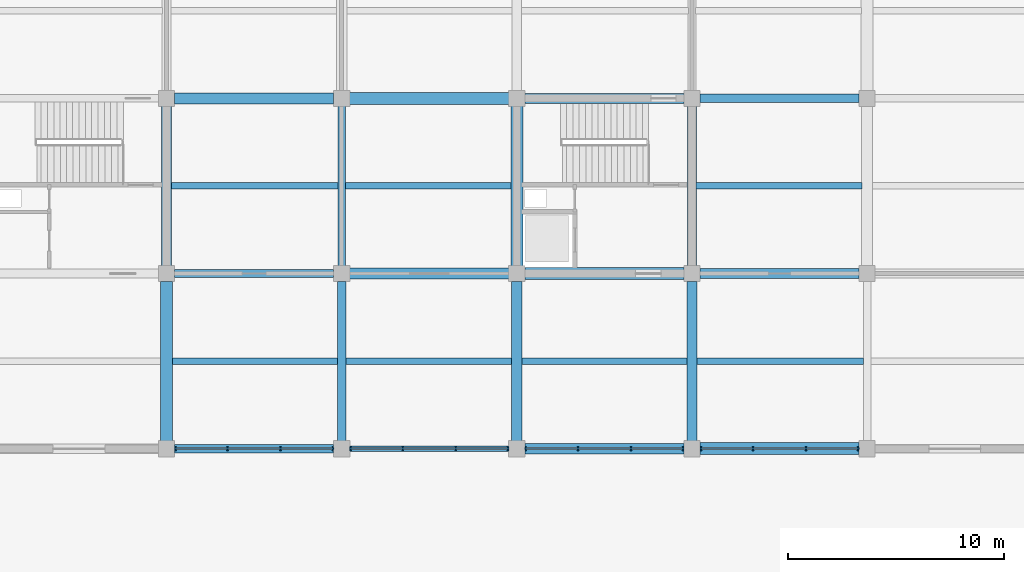
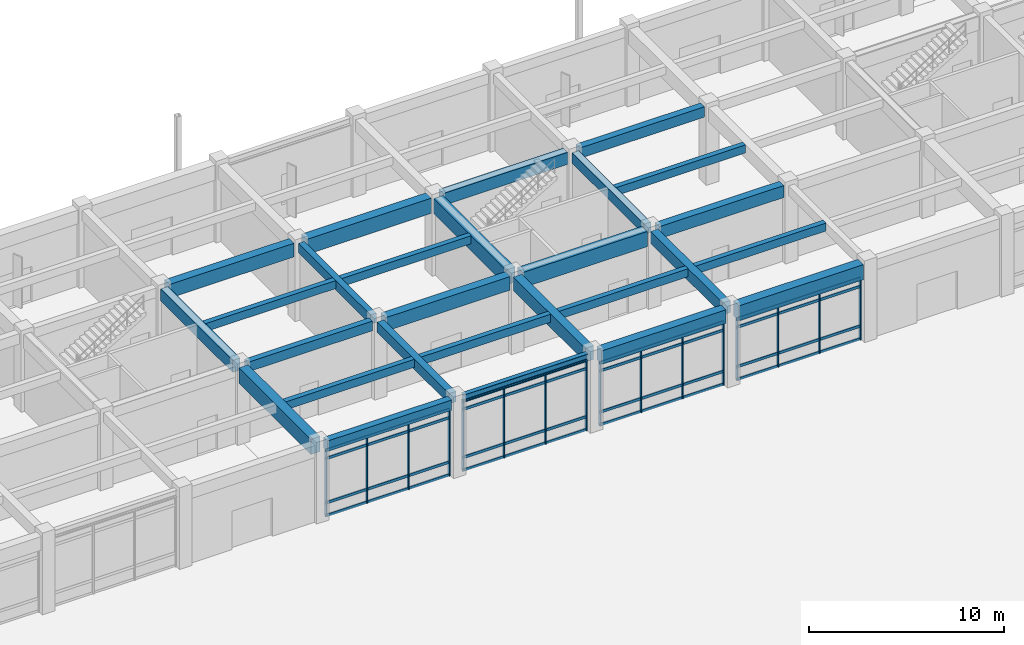
# One storey, part 35 of 99: 32 members, 27 beams, 4 elements without a shape of their own.
"""IFC4 building model written with IfcOpenShell, lengths in metres."""

import ifcopenshell
import ifcopenshell.guid

model = None  # the IFC model being written
_history = None  # IfcOwnerHistory: only IFC2X3 demands one
_inside = {}  # id of a spatial element -> (the spatial element, [elements in it])
_under = {}  # id of a project, library or spatial element -> (it, [spatial elements below it])
_declared = {}  # id of a project -> (the project, [libraries it declares])
_typed = {}  # id of a type object -> (the type object, [elements of that type])
_made_of = {}  # id of a material, layer set ... -> (it, [elements and type objects made of it])


def new_model(schema):
    """Start an empty IFC model of exactly this schema.

    Asked for "IFC4X3", IfcOpenShell would pick the latest addendum, in which some entities
    have other attributes; the version numbers below select the first issue.
    IFC2X3 requires an IfcOwnerHistory on every rooted entity: one is made here for all.
    """
    global model, _history
    if schema == "IFC4X3":
        model = ifcopenshell.file(schema_version=(4, 3, 0, 0))
    else:
        model = ifcopenshell.file(schema=schema)
    _inside.clear()
    _under.clear()
    _declared.clear()
    _typed.clear()
    _made_of.clear()
    _history = None
    if model.schema == "IFC2X3":
        org = make("IfcOrganization", Name="unknown")
        user = make(
            "IfcPersonAndOrganization",
            ThePerson=make("IfcPerson", FamilyName="unknown"),
            TheOrganization=org,
        )
        app = make(
            "IfcApplication",
            ApplicationDeveloper=org,
            Version="unknown",
            ApplicationFullName="unknown",
            ApplicationIdentifier="unknown",
        )
        _history = make(
            "IfcOwnerHistory",
            OwningUser=user,
            OwningApplication=app,
            ChangeAction="ADDED",
            CreationDate=0,
        )
    return model


def make(cls, **values):
    """One entity of the class cls with the attributes given. An attribute that is None is left unset."""
    return model.create_entity(
        cls, **{name: value for name, value in values.items() if value is not None}
    )


def rooted(cls, **values):
    """An entity with a GlobalId (a new one), such as an element, a storey or a relation."""
    return make(cls, GlobalId=ifcopenshell.guid.new(), OwnerHistory=_history, **values)


def si_unit(unit_type, name, prefix=None):
    """IfcSIUnit, for example si_unit("LENGTHUNIT", "METRE", prefix="MILLI")."""
    return make("IfcSIUnit", UnitType=unit_type, Prefix=prefix, Name=name)


def assignment(units):
    """IfcUnitAssignment: the units of a project."""
    return None if units is None else make("IfcUnitAssignment", Units=units)


def point(xyz):
    """IfcCartesianPoint."""
    return None if xyz is None else make("IfcCartesianPoint", Coordinates=xyz)


def direction(xyz):
    """IfcDirection."""
    return None if xyz is None else make("IfcDirection", DirectionRatios=xyz)


def frame(location, z_axis=None, x_axis=None):
    """IfcAxis2Placement3D, a coordinate frame: its origin and axes. An axis left out is left unset."""
    return make(
        "IfcAxis2Placement3D",
        Location=point(location),
        Axis=direction(z_axis),
        RefDirection=direction(x_axis),
    )


def frame_2d(location, x_axis=None):
    """IfcAxis2Placement2D, a coordinate frame in the plane: its origin and x axis."""
    return make(
        "IfcAxis2Placement2D", Location=point(location), RefDirection=direction(x_axis)
    )


def origin():
    """The frame at (0, 0, 0) with its axes left unset."""
    return frame((0.0, 0.0, 0.0))


def origin_2d():
    """The frame at (0, 0) in the plane with its x axis left unset."""
    return frame_2d((0.0, 0.0))


def place(relative_to, where):
    """IfcLocalPlacement: puts the frame where relative to a parent placement (None: the world)."""
    return make(
        "IfcLocalPlacement", PlacementRelTo=relative_to, RelativePlacement=where
    )


def context(
    kind, dimensions, precision=None, world=None, true_north=None, identifier=None
):
    """IfcGeometricRepresentationContext, for example the 3D "Model" context."""
    return make(
        "IfcGeometricRepresentationContext",
        ContextIdentifier=identifier,
        ContextType=kind,
        CoordinateSpaceDimension=dimensions,
        Precision=precision,
        WorldCoordinateSystem=world,
        TrueNorth=true_north,
    )


def subcontext(parent, identifier, kind, view, scale=None):
    """IfcGeometricRepresentationSubContext, for example "Body" below "Model"."""
    return make(
        "IfcGeometricRepresentationSubContext",
        ContextIdentifier=identifier,
        ContextType=kind,
        ParentContext=parent,
        TargetScale=scale,
        TargetView=view,
    )


def project(units=None, contexts=None):
    """IfcProject with its units and contexts."""
    return rooted(
        "IfcProject",
        Name="project",
        RepresentationContexts=contexts,
        UnitsInContext=assignment(units),
    )


def spatial(cls, under=None, at=None, **own):
    """A site, building, storey or space (cls), placed at a placement, below another one or the project."""
    s = rooted(cls, ObjectPlacement=at, **own)
    if under is not None:
        _under.setdefault(under.id(), (under, []))[1].append(s)
    return s


def profile(cls, at=None, kind="AREA", **sizes):
    """A parametric profile (cls). Its sizes go by their IFC names, for example OverallWidth=200.0."""
    return make(cls, ProfileType=kind, Position=at, **sizes)


def rectangle(**sizes):
    """IfcRectangleProfileDef."""
    return profile("IfcRectangleProfileDef", **sizes)


def i_section(**sizes):
    """IfcIShapeProfileDef."""
    return profile("IfcIShapeProfileDef", **sizes)


def extrude(swept, where, along, depth):
    """IfcExtrudedAreaSolid: the profile swept, set in the frame where, extruded along a direction by depth."""
    return make(
        "IfcExtrudedAreaSolid",
        SweptArea=swept,
        Position=where,
        ExtrudedDirection=direction(along),
        Depth=depth,
    )


def shape(context_of_items, identifier, shape_type, items):
    """IfcShapeRepresentation: the items that make up one representation, for example the "Body"."""
    return make(
        "IfcShapeRepresentation",
        ContextOfItems=context_of_items,
        RepresentationIdentifier=identifier,
        RepresentationType=shape_type,
        Items=items,
    )


def material(Name=None, Category=None):
    """IfcMaterial."""
    return make("IfcMaterial", Name=Name, Category=Category)


def layer(
    of_material, thickness, ventilated=None, Name=None, Category=None, Priority=None
):
    """IfcMaterialLayer: one layer of a wall or slab, of a material (None: an air gap)."""
    return make(
        "IfcMaterialLayer",
        Material=of_material,
        LayerThickness=thickness,
        IsVentilated=ventilated,
        Name=Name,
        Category=Category,
        Priority=Priority,
    )


def layer_set(layers, Name=None):
    """IfcMaterialLayerSet."""
    return make("IfcMaterialLayerSet", MaterialLayers=layers, LayerSetName=Name)


def material_profile(
    of_material, cross_section, Name=None, Category=None, Priority=None
):
    """IfcMaterialProfile: a cross section and its material."""
    return make(
        "IfcMaterialProfile",
        Name=Name,
        Material=of_material,
        Profile=cross_section,
        Priority=Priority,
        Category=Category,
    )


def profile_set(profiles, Name=None, composite=None):
    """IfcMaterialProfileSet."""
    return make(
        "IfcMaterialProfileSet",
        Name=Name,
        MaterialProfiles=profiles,
        CompositeProfile=composite,
    )


def made_of(thing, what):
    """Note that an element or type object is made of a material, layer set ...; save() writes the relation."""
    if what is not None:
        _made_of.setdefault(what.id(), (what, []))[1].append(thing)
    return thing


def type_object(cls, material=None, **own):
    """A type object (cls), such as IfcWallType, which elements share."""
    return made_of(rooted(cls, **own), material)


def element(
    cls,
    number,
    at=None,
    inside=None,
    cuts=None,
    type_object=None,
    material=None,
    context=None,
    identifier="Body",
    shape_type=None,
    held_by="IfcProductDefinitionShape",
    body=None,
    shapes=None,
    **own,
):
    """One element of the class cls, such as IfcWall. Its Tag is "e" and its number.

    at: its placement. inside: the storey or other place that contains it. cuts: it is an
    opening in that element (IfcRelVoidsElement). A single representation is given by context,
    identifier, shape_type and body (its items); several are given by shapes. held_by: the class
    of the entity that holds the representations. save() writes the other relations.
    """
    e = rooted(cls, Tag="e%d" % number, ObjectPlacement=at, **own)
    if body is not None:
        shapes = [shape(context, identifier, shape_type, body)]
    if shapes is not None:
        e.Representation = make(held_by, Representations=shapes)
    if inside is not None:
        _inside.setdefault(inside.id(), (inside, []))[1].append(e)
    if cuts is not None:
        rooted(
            "IfcRelVoidsElement", RelatingBuildingElement=cuts, RelatedOpeningElement=e
        )
    if type_object is not None:
        _typed.setdefault(type_object.id(), (type_object, []))[1].append(e)
    return made_of(e, material)


def aggregate(whole, parts):
    """IfcRelAggregates: a whole, such as a stair, and the parts it consists of."""
    return rooted("IfcRelAggregates", RelatingObject=whole, RelatedObjects=parts)


def save(model, path):
    """Write the relations noted so far, then the file.

    IfcRelAggregates (storeys below a building ...), IfcRelContainedInSpatialStructure (elements
    in a storey), IfcRelDefinesByType, IfcRelAssociatesMaterial and IfcRelDeclares: one each for
    every whole, place, type object, material and project.
    """
    for whole, parts in _under.values():
        aggregate(whole, parts)
    for where, things in _inside.values():
        rooted(
            "IfcRelContainedInSpatialStructure",
            RelatedElements=things,
            RelatingStructure=where,
        )
    for kind, things in _typed.values():
        rooted("IfcRelDefinesByType", RelatedObjects=things, RelatingType=kind)
    for what, things in _made_of.values():
        rooted("IfcRelAssociatesMaterial", RelatedObjects=things, RelatingMaterial=what)
    for by, libraries in _declared.values():
        rooted("IfcRelDeclares", RelatingContext=by, RelatedDefinitions=libraries)
    model.write(path)


model = new_model("IFC4")

# Units and contexts
model_context = context("Model", 3, precision=1e-05, world=origin(), true_north=direction((0.0, 1.0)))
body_context = subcontext(model_context, "Body", "Model", "MODEL_VIEW")
ifc_project = project(units=[si_unit("LENGTHUNIT", "METRE"), si_unit("AREAUNIT", "SQUARE_METRE"), si_unit("VOLUMEUNIT", "CUBIC_METRE"), si_unit("PLANEANGLEUNIT", "RADIAN"), si_unit("MASSUNIT", "GRAM", prefix="KILO")], contexts=[model_context])

# Site, building, storey
site_placement = place(None, origin())
site = spatial("IfcSite", under=ifc_project, at=site_placement, CompositionType="ELEMENT")
building_placement = place(site_placement, origin())
building = spatial("IfcBuilding", under=site, at=building_placement, Name="Vaudrelin Polytechnic", CompositionType="ELEMENT")
storey_placement = place(building_placement, origin())
storey = spatial("IfcBuildingStorey", under=building, at=storey_placement, Name="L00", CompositionType="ELEMENT", Elevation=0.0)

# Beams
ifc_material_1 = material(Name="Concrete 40 MPa", Category="concrete")
ifc_material_profile_1 = material_profile(ifc_material_1, rectangle(XDim=0.35009765625, YDim=0.60009765625, at=origin_2d()), Name="RC350x600")
ifc_profile_set_1 = profile_set([ifc_material_profile_1], Name="Concrete 40 MPa")
beam_type_1 = type_object("IfcBeamType", Name="BM-BM-RC3560", PredefinedType="BEAM", material=ifc_profile_set_1)
beam_1_placement = place(storey_placement, frame((72.89990234375, 105.659912109375, 4.52001953125), z_axis=(0.0, 1.0, 0.0), x_axis=(-1.0, 0.0, 0.0)))
element("IfcBeam", 1, at=beam_1_placement, inside=storey, type_object=beam_type_1, Name="L00 Y-beam 10-14", PredefinedType="BEAM", context=body_context, shape_type="SweptSolid", body=[
    extrude(rectangle(XDim=0.35009765625, YDim=0.60009765625, at=origin_2d()), origin(), (0.0, 0.0, 1.0), 7.380126953125),
])
beam_2_placement = place(storey_placement, frame((65.1708984375, 105.300048828125, 4.52001953125), z_axis=(1.0, 0.0, 0.0), x_axis=(0.0, 1.0, 0.0)))
element("IfcBeam", 2, at=beam_2_placement, inside=storey, type_object=beam_type_1, Name="L00 X-beam 9-14", PredefinedType="BEAM", context=body_context, shape_type="SweptSolid", body=[
    extrude(rectangle(XDim=0.35009765625, YDim=0.60009765625, at=origin_2d()), origin(), (0.0, 0.0, 1.0), 7.358154296875),
])
ifc_material_profile_2 = material_profile(ifc_material_1, rectangle(XDim=0.39990234375, YDim=0.64990234375, at=origin_2d()), Name="RC400x650")
ifc_profile_set_2 = profile_set([ifc_material_profile_2], Name="Concrete 40 MPa")
beam_type_2 = type_object("IfcBeamType", Name="BM-BM-RC4065", PredefinedType="BEAM", material=ifc_profile_set_2)
beam_3_placement = place(storey_placement, frame((72.89990234375, 97.56005859375, 4.4951171875), z_axis=(0.0, 1.0, 0.0), x_axis=(-1.0, 0.0, 0.0)))
element("IfcBeam", 3, at=beam_3_placement, inside=storey, type_object=beam_type_2, Name="L00 Y-beam 10-13", PredefinedType="BEAM", context=body_context, shape_type="SweptSolid", body=[
    extrude(rectangle(XDim=0.39990234375, YDim=0.64990234375, at=origin_2d()), origin(), (0.0, 0.0, 1.0), 7.3798828125),
])
beam_4_placement = place(storey_placement, frame((89.10009765625, 105.659912109375, 4.4951171875), z_axis=(0.0, 1.0, 0.0), x_axis=(-1.0, 0.0, 0.0)))
element("IfcBeam", 4, at=beam_4_placement, inside=storey, type_object=beam_type_2, Name="L00 Y-beam 12-14", PredefinedType="BEAM", context=body_context, shape_type="SweptSolid", body=[
    extrude(rectangle(XDim=0.39990234375, YDim=0.64990234375, at=origin_2d()), origin(), (0.0, 0.0, 1.0), 7.380126953125),
])
for number, where, z_axis, x_axis, name in (
    (5, (65.1708984375, 97.199951171875, 4.4951171875), (1.0, 0.0, 0.0), (0.0, 1.0, 0.0), "L00 X-beam 9-13"),
    (6, (89.470947265625, 113.39990234375, 4.4951171875), (1.0, 0.0, 0.0), (0.0, 1.0, 0.0), "L00 X-beam 12-15"),
):
    element("IfcBeam", number, at=place(storey_placement, frame(where, z_axis=z_axis, x_axis=x_axis)), inside=storey, type_object=beam_type_2, Name=name, PredefinedType="BEAM", context=body_context, shape_type="SweptSolid", body=[
        extrude(rectangle(XDim=0.39990234375, YDim=0.64990234375, at=origin_2d()), origin(), (0.0, 0.0, 1.0), 7.358154296875),
    ])
ifc_material_profile_3 = material_profile(ifc_material_1, rectangle(XDim=0.449951171875, YDim=0.75, at=origin_2d()), Name="RC450x750")
ifc_profile_set_3 = profile_set([ifc_material_profile_3], Name="Concrete 40 MPa")
beam_type_3 = type_object("IfcBeamType", Name="BM-BM-RC4575", PredefinedType="BEAM", material=ifc_profile_set_3)
beam_5_placement = place(storey_placement, frame((64.800048828125, 105.659912109375, 4.445068359375), z_axis=(0.0, 1.0, 0.0), x_axis=(-1.0, 0.0, 0.0)))
element("IfcBeam", 7, at=beam_5_placement, inside=storey, type_object=beam_type_3, Name="L00 Y-beam 9-14", PredefinedType="BEAM", context=body_context, shape_type="SweptSolid", body=[
    extrude(rectangle(XDim=0.449951171875, YDim=0.75, at=origin_2d()), origin(), (0.0, 0.0, 1.0), 7.380126953125),
])
beam_6_placement = place(storey_placement, frame((89.10009765625, 97.56005859375, 4.445068359375), z_axis=(0.0, 1.0, 0.0), x_axis=(-1.0, 0.0, 0.0)))
element("IfcBeam", 8, at=beam_6_placement, inside=storey, type_object=beam_type_3, Name="L00 Y-beam 12-13", PredefinedType="BEAM", context=body_context, shape_type="SweptSolid", body=[
    extrude(rectangle(XDim=0.449951171875, YDim=0.75, at=origin_2d()), origin(), (0.0, 0.0, 1.0), 7.3798828125),
])
beam_7_placement = place(storey_placement, frame((81.37109375, 113.39990234375, 4.445068359375), z_axis=(1.0, 0.0, 0.0), x_axis=(0.0, 1.0, 0.0)))
element("IfcBeam", 9, at=beam_7_placement, inside=storey, type_object=beam_type_3, Name="L00 X-beam 11-15", PredefinedType="BEAM", context=body_context, shape_type="SweptSolid", body=[
    extrude(rectangle(XDim=0.449951171875, YDim=0.75, at=origin_2d()), origin(), (0.0, 0.0, 1.0), 7.35791015625),
])
beam_8_placement = place(storey_placement, frame((89.470947265625, 105.300048828125, 4.445068359375), z_axis=(1.0, 0.0, 0.0), x_axis=(0.0, 1.0, 0.0)))
element("IfcBeam", 10, at=beam_8_placement, inside=storey, type_object=beam_type_3, Name="L00 X-beam 12-14", PredefinedType="BEAM", context=body_context, shape_type="SweptSolid", body=[
    extrude(rectangle(XDim=0.449951171875, YDim=0.75, at=origin_2d()), origin(), (0.0, 0.0, 1.0), 7.358154296875),
])
ifc_material_profile_4 = material_profile(ifc_material_1, rectangle(XDim=0.5, YDim=0.85009765625, at=origin_2d()), Name="RC500x850")
ifc_profile_set_4 = profile_set([ifc_material_profile_4], Name="Concrete 40 MPa")
beam_type_4 = type_object("IfcBeamType", Name="BM-BM-RC5085", PredefinedType="BEAM", material=ifc_profile_set_4)
beam_9_placement = place(storey_placement, frame((81.0, 97.56005859375, 4.39501953125), z_axis=(0.0, 1.0, 0.0), x_axis=(-1.0, 0.0, 0.0)))
element("IfcBeam", 11, at=beam_9_placement, inside=storey, type_object=beam_type_4, Name="L00 Y-beam 11-13", PredefinedType="BEAM", context=body_context, shape_type="SweptSolid", body=[
    extrude(rectangle(XDim=0.5, YDim=0.85009765625, at=origin_2d()), origin(), (0.0, 0.0, 1.0), 7.3798828125),
])
beam_10_placement = place(storey_placement, frame((65.1708984375, 113.39990234375, 4.39501953125), z_axis=(1.0, 0.0, 0.0), x_axis=(0.0, 1.0, 0.0)))
element("IfcBeam", 12, at=beam_10_placement, inside=storey, type_object=beam_type_4, Name="L00 X-beam 9-15", PredefinedType="BEAM", context=body_context, shape_type="SweptSolid", body=[
    extrude(rectangle(XDim=0.5, YDim=0.85009765625, at=origin_2d()), origin(), (0.0, 0.0, 1.0), 7.358154296875),
])
for number, where, z_axis, x_axis, name in (
    (13, (73.27099609375, 105.300048828125, 4.39501953125), (1.0, 0.0, 0.0), (0.0, 1.0, 0.0), "L00 X-beam 10-14"),
    (14, (81.37109375, 97.199951171875, 4.39501953125), (1.0, 0.0, 0.0), (0.0, 1.0, 0.0), "L00 X-beam 11-13"),
):
    element("IfcBeam", number, at=place(storey_placement, frame(where, z_axis=z_axis, x_axis=x_axis)), inside=storey, type_object=beam_type_4, Name=name, PredefinedType="BEAM", context=body_context, shape_type="SweptSolid", body=[
        extrude(rectangle(XDim=0.5, YDim=0.85009765625, at=origin_2d()), origin(), (0.0, 0.0, 1.0), 7.35791015625),
    ])
ifc_material_2 = material(Name="Concrete 50 MPa", Category="concrete")
ifc_material_profile_5 = material_profile(ifc_material_2, rectangle(XDim=0.550048828125, YDim=0.949951171875, at=origin_2d()), Name="RC550x950")
ifc_profile_set_5 = profile_set([ifc_material_profile_5], Name="Concrete 50 MPa")
beam_type_5 = type_object("IfcBeamType", Name="BM-BM-RC5595", PredefinedType="BEAM", material=ifc_profile_set_5)
beam_11_placement = place(storey_placement, frame((64.800048828125, 97.56005859375, 4.344970703125), z_axis=(0.0, 1.0, 0.0), x_axis=(-1.0, 0.0, 0.0)))
element("IfcBeam", 15, at=beam_11_placement, inside=storey, type_object=beam_type_5, Name="L00 Y-beam 9-13", PredefinedType="BEAM", context=body_context, shape_type="SweptSolid", body=[
    extrude(rectangle(XDim=0.550048828125, YDim=0.949951171875, at=origin_2d()), origin(), (0.0, 0.0, 1.0), 7.3798828125),
])
beam_12_placement = place(storey_placement, frame((81.0, 105.659912109375, 4.344970703125), z_axis=(0.0, 1.0, 0.0), x_axis=(-1.0, 0.0, 0.0)))
element("IfcBeam", 16, at=beam_12_placement, inside=storey, type_object=beam_type_5, Name="L00 Y-beam 11-14", PredefinedType="BEAM", context=body_context, shape_type="SweptSolid", body=[
    extrude(rectangle(XDim=0.550048828125, YDim=0.949951171875, at=origin_2d()), origin(), (0.0, 0.0, 1.0), 7.380126953125),
])
for number, where, z_axis, x_axis, name in (
    (17, (73.27099609375, 113.39990234375, 4.344970703125), (1.0, 0.0, 0.0), (0.0, 1.0, 0.0), "L00 X-beam 10-15"),
    (18, (81.37109375, 105.300048828125, 4.344970703125), (1.0, 0.0, 0.0), (0.0, 1.0, 0.0), "L00 X-beam 11-14"),
):
    element("IfcBeam", number, at=place(storey_placement, frame(where, z_axis=z_axis, x_axis=x_axis)), inside=storey, type_object=beam_type_5, Name=name, PredefinedType="BEAM", context=body_context, shape_type="SweptSolid", body=[
        extrude(rectangle(XDim=0.550048828125, YDim=0.949951171875, at=origin_2d()), origin(), (0.0, 0.0, 1.0), 7.35791015625),
    ])
beam_13_placement = place(storey_placement, frame((89.470947265625, 97.199951171875, 4.344970703125), z_axis=(1.0, 0.0, 0.0), x_axis=(0.0, 1.0, 0.0)))
element("IfcBeam", 19, at=beam_13_placement, inside=storey, type_object=beam_type_5, Name="L00 X-beam 12-13", PredefinedType="BEAM", context=body_context, shape_type="SweptSolid", body=[
    extrude(rectangle(XDim=0.550048828125, YDim=0.949951171875, at=origin_2d()), origin(), (0.0, 0.0, 1.0), 7.358154296875),
])
ifc_material_3 = material(Name="Steel CSA G40.21 350WT", Category="steel")
ifc_material_profile_6 = material_profile(ifc_material_3, i_section(OverallWidth=0.260009765625, OverallDepth=0.4150390625, WebThickness=0.010009765625, FlangeThickness=0.016845703125, FilletRadius=0.01611328125, at=origin_2d()), Name="W410x100")
ifc_profile_set_6 = profile_set([ifc_material_profile_6], Name="Steel CSA G40.21 350WT")
beam_type_6 = type_object("IfcBeamType", Name="BM-BM-W410H", PredefinedType="SPANDREL", material=ifc_profile_set_6)
beam_14_placement = place(storey_placement, frame((73.27099609375, 97.199951171875, 4.612548828125), z_axis=(1.0, 0.0, 0.0), x_axis=(0.0, 1.0, 0.0)))
element("IfcBeam", 20, at=beam_14_placement, inside=storey, type_object=beam_type_6, Name="L00 X-beam 10-13", PredefinedType="SPANDREL", context=body_context, shape_type="SweptSolid", body=[
    extrude(i_section(OverallWidth=0.260009765625, OverallDepth=0.4150390625, WebThickness=0.010009765625, FlangeThickness=0.016845703125, FilletRadius=0.01611328125, at=origin_2d()), origin(), (0.0, 0.0, 1.0), 7.35791015625),
])
ifc_material_profile_7 = material_profile(ifc_material_1, rectangle(XDim=0.300048828125, YDim=0.5, at=origin_2d()), Name="RC300x500")
ifc_profile_set_7 = profile_set([ifc_material_profile_7], Name="Concrete 40 MPa")
beam_type_7 = type_object("IfcBeamType", Name="BM-JS-RC3050", PredefinedType="JOIST", material=ifc_profile_set_7)
beam_15_placement = place(storey_placement, frame((65.071044921875, 101.25, 4.570068359375), z_axis=(1.0, 0.0, 0.0), x_axis=(0.0, 1.0, 0.0)))
element("IfcBeam", 21, at=beam_15_placement, inside=storey, type_object=beam_type_7, Name="L00 floor joist 9-13", PredefinedType="JOIST", context=body_context, shape_type="SweptSolid", body=[
    extrude(rectangle(XDim=0.300048828125, YDim=0.5, at=origin_2d()), origin(), (0.0, 0.0, 1.0), 7.633056640625),
])
beam_16_placement = place(storey_placement, frame((65.02099609375, 109.35009765625, 4.570068359375), z_axis=(1.0, 0.0, 0.0), x_axis=(0.0, 1.0, 0.0)))
element("IfcBeam", 22, at=beam_16_placement, inside=storey, type_object=beam_type_7, Name="L00 floor joist 9-14", PredefinedType="JOIST", context=body_context, shape_type="SweptSolid", body=[
    extrude(rectangle(XDim=0.300048828125, YDim=0.5, at=origin_2d()), origin(), (0.0, 0.0, 1.0), 7.7080078125),
])
for number, where, z_axis, x_axis, name in (
    (23, (73.095947265625, 101.25, 4.570068359375), (1.0, 0.0, 0.0), (0.0, 1.0, 0.0), "L00 floor joist 10-13"),
    (24, (73.071044921875, 109.35009765625, 4.570068359375), (1.0, 0.0, 0.0), (0.0, 1.0, 0.0), "L00 floor joist 10-14"),
):
    element("IfcBeam", number, at=place(storey_placement, frame(where, z_axis=z_axis, x_axis=x_axis)), inside=storey, type_object=beam_type_7, Name=name, PredefinedType="JOIST", context=body_context, shape_type="SweptSolid", body=[
        extrude(rectangle(XDim=0.300048828125, YDim=0.5, at=origin_2d()), origin(), (0.0, 0.0, 1.0), 7.657958984375),
    ])
beam_17_placement = place(storey_placement, frame((81.24609375, 101.25, 4.570068359375), z_axis=(1.0, 0.0, 0.0), x_axis=(0.0, 1.0, 0.0)))
element("IfcBeam", 25, at=beam_17_placement, inside=storey, type_object=beam_type_7, Name="L00 floor joist 11-13", PredefinedType="JOIST", context=body_context, shape_type="SweptSolid", body=[
    extrude(rectangle(XDim=0.300048828125, YDim=0.5, at=origin_2d()), origin(), (0.0, 0.0, 1.0), 7.6328125),
])
beam_18_placement = place(storey_placement, frame((89.321044921875, 101.25, 4.570068359375), z_axis=(1.0, 0.0, 0.0), x_axis=(0.0, 1.0, 0.0)))
element("IfcBeam", 26, at=beam_18_placement, inside=storey, type_object=beam_type_7, Name="L00 floor joist 12-13", PredefinedType="JOIST", context=body_context, shape_type="SweptSolid", body=[
    extrude(rectangle(XDim=0.300048828125, YDim=0.5, at=origin_2d()), origin(), (0.0, 0.0, 1.0), 7.7080078125),
])
beam_19_placement = place(storey_placement, frame((89.2958984375, 109.35009765625, 4.570068359375), z_axis=(1.0, 0.0, 0.0), x_axis=(0.0, 1.0, 0.0)))
element("IfcBeam", 27, at=beam_19_placement, inside=storey, type_object=beam_type_7, Name="L00 floor joist 12-14", PredefinedType="JOIST", context=body_context, shape_type="SweptSolid", body=[
    extrude(rectangle(XDim=0.300048828125, YDim=0.5, at=origin_2d()), origin(), (0.0, 0.0, 1.0), 7.658203125),
])

# Curtain wall, members
ifc_material_4 = material(Name="Thermally broken anodised aluminium AA 6063-T6 and low-e triple glazing", Category="aluminium")
ifc_layer = layer(ifc_material_4, 0.199951171875)
ifc_layer_set = layer_set([ifc_layer], Name="Thermally broken anodised aluminium AA 6063-T6 and low-e triple glazing")
curtain_wall_type = type_object("IfcCurtainWallType", Name="CW-CW-LIB", PredefinedType="USERDEFINED", material=ifc_layer_set)
curtain_wall_1_placement = place(storey_placement, origin())
curtain_wall_1 = element("IfcCurtainWall", 28, at=curtain_wall_1_placement, inside=storey, type_object=curtain_wall_type, Name="Curtain wall L00 CT_N_04", ObjectType="CURTAIN WALL", PredefinedType="USERDEFINED")
ifc_material_5 = material(Name="Anodised aluminium AA 6063-T6", Category="aluminium")
ifc_material_profile_8 = material_profile(ifc_material_5, rectangle(XDim=0.06494140625, YDim=0.179931640625, at=origin_2d()), Name="CWM-65x180")
ifc_profile_set_8 = profile_set([ifc_material_profile_8], Name="Anodised aluminium AA 6063-T6")
member_type_1 = type_object("IfcMemberType", Name="MEM-CWM-180", PredefinedType="MULLION", material=ifc_profile_set_8)
member_1_placement = place(storey_placement, frame((65.212890625, 97.199951171875, 0.0), z_axis=(0.0, 0.0, 1.0), x_axis=(1.0, 0.0, 0.0)))
member_1 = element("IfcMember", 29, at=member_1_placement, type_object=member_type_1, Name="CT_N_04 mullion 1", PredefinedType="MULLION", context=body_context, shape_type="SweptSolid", body=[
    extrude(rectangle(XDim=0.06494140625, YDim=0.179931640625, at=origin_2d()), origin(), (0.0, 0.0, 1.0), 4.172119140625),
])
member_2_placement = place(storey_placement, frame((67.624267578125, 97.199951171875, 0.0), z_axis=(0.0, 0.0, 1.0), x_axis=(1.0, 0.0, 0.0)))
member_2 = element("IfcMember", 30, at=member_2_placement, type_object=member_type_1, Name="CT_N_04 mullion 2", PredefinedType="MULLION", context=body_context, shape_type="SweptSolid", body=[
    extrude(rectangle(XDim=0.06494140625, YDim=0.179931640625, at=origin_2d()), origin(), (0.0, 0.0, 1.0), 4.172119140625),
])
member_3_placement = place(storey_placement, frame((70.07568359375, 97.199951171875, 0.0), z_axis=(0.0, 0.0, 1.0), x_axis=(1.0, 0.0, 0.0)))
member_3 = element("IfcMember", 31, at=member_3_placement, type_object=member_type_1, Name="CT_N_04 mullion 3", PredefinedType="MULLION", context=body_context, shape_type="SweptSolid", body=[
    extrude(rectangle(XDim=0.06494140625, YDim=0.179931640625, at=origin_2d()), origin(), (0.0, 0.0, 1.0), 4.172119140625),
])
member_4_placement = place(storey_placement, frame((72.487060546875, 97.199951171875, 0.0), z_axis=(0.0, 0.0, 1.0), x_axis=(1.0, 0.0, 0.0)))
member_4 = element("IfcMember", 32, at=member_4_placement, type_object=member_type_1, Name="CT_N_04 mullion 4", PredefinedType="MULLION", context=body_context, shape_type="SweptSolid", body=[
    extrude(rectangle(XDim=0.06494140625, YDim=0.179931640625, at=origin_2d()), origin(), (0.0, 0.0, 1.0), 4.172119140625),
])

curtain_wall_2_placement = place(storey_placement, origin())
curtain_wall_2 = element("IfcCurtainWall", 33, at=curtain_wall_2_placement, inside=storey, type_object=curtain_wall_type, Name="Curtain wall L00 CT_N_05", ObjectType="CURTAIN WALL", PredefinedType="USERDEFINED")
member_5_placement = place(storey_placement, frame((73.31298828125, 97.199951171875, 0.0), z_axis=(0.0, 0.0, 1.0), x_axis=(1.0, 0.0, 0.0)))
member_5 = element("IfcMember", 34, at=member_5_placement, type_object=member_type_1, Name="CT_N_05 mullion 1", PredefinedType="MULLION", context=body_context, shape_type="SweptSolid", body=[
    extrude(rectangle(XDim=0.06494140625, YDim=0.179931640625, at=origin_2d()), origin(), (0.0, 0.0, 1.0), 4.406982421875),
])
member_6_placement = place(storey_placement, frame((75.724365234375, 97.199951171875, 0.0), z_axis=(0.0, 0.0, 1.0), x_axis=(1.0, 0.0, 0.0)))
member_6 = element("IfcMember", 35, at=member_6_placement, type_object=member_type_1, Name="CT_N_05 mullion 2", PredefinedType="MULLION", context=body_context, shape_type="SweptSolid", body=[
    extrude(rectangle(XDim=0.06494140625, YDim=0.179931640625, at=origin_2d()), origin(), (0.0, 0.0, 1.0), 4.406982421875),
])
member_7_placement = place(storey_placement, frame((78.17578125, 97.199951171875, 0.0), z_axis=(0.0, 0.0, 1.0), x_axis=(1.0, 0.0, 0.0)))
member_7 = element("IfcMember", 36, at=member_7_placement, type_object=member_type_1, Name="CT_N_05 mullion 3", PredefinedType="MULLION", context=body_context, shape_type="SweptSolid", body=[
    extrude(rectangle(XDim=0.06494140625, YDim=0.179931640625, at=origin_2d()), origin(), (0.0, 0.0, 1.0), 4.406982421875),
])
member_8_placement = place(storey_placement, frame((80.5869140625, 97.199951171875, 0.0), z_axis=(0.0, 0.0, 1.0), x_axis=(1.0, 0.0, 0.0)))
member_8 = element("IfcMember", 37, at=member_8_placement, type_object=member_type_1, Name="CT_N_05 mullion 4", PredefinedType="MULLION", context=body_context, shape_type="SweptSolid", body=[
    extrude(rectangle(XDim=0.06494140625, YDim=0.179931640625, at=origin_2d()), origin(), (0.0, 0.0, 1.0), 4.406982421875),
])

curtain_wall_3_placement = place(storey_placement, origin())
curtain_wall_3 = element("IfcCurtainWall", 38, at=curtain_wall_3_placement, inside=storey, type_object=curtain_wall_type, Name="Curtain wall L00 CT_N_06", ObjectType="CURTAIN WALL", PredefinedType="USERDEFINED")
member_9_placement = place(storey_placement, frame((81.4130859375, 97.199951171875, 0.0), z_axis=(0.0, 0.0, 1.0), x_axis=(1.0, 0.0, 0.0)))
member_9 = element("IfcMember", 39, at=member_9_placement, type_object=member_type_1, Name="CT_N_06 mullion 1", PredefinedType="MULLION", context=body_context, shape_type="SweptSolid", body=[
    extrude(rectangle(XDim=0.06494140625, YDim=0.179931640625, at=origin_2d()), origin(), (0.0, 0.0, 1.0), 3.971923828125),
])
member_10_placement = place(storey_placement, frame((83.82421875, 97.199951171875, 0.0), z_axis=(0.0, 0.0, 1.0), x_axis=(1.0, 0.0, 0.0)))
member_10 = element("IfcMember", 40, at=member_10_placement, type_object=member_type_1, Name="CT_N_06 mullion 2", PredefinedType="MULLION", context=body_context, shape_type="SweptSolid", body=[
    extrude(rectangle(XDim=0.06494140625, YDim=0.179931640625, at=origin_2d()), origin(), (0.0, 0.0, 1.0), 3.971923828125),
])
member_11_placement = place(storey_placement, frame((86.275634765625, 97.199951171875, 0.0), z_axis=(0.0, 0.0, 1.0), x_axis=(1.0, 0.0, 0.0)))
member_11 = element("IfcMember", 41, at=member_11_placement, type_object=member_type_1, Name="CT_N_06 mullion 3", PredefinedType="MULLION", context=body_context, shape_type="SweptSolid", body=[
    extrude(rectangle(XDim=0.06494140625, YDim=0.179931640625, at=origin_2d()), origin(), (0.0, 0.0, 1.0), 3.971923828125),
])
member_12_placement = place(storey_placement, frame((88.68701171875, 97.199951171875, 0.0), z_axis=(0.0, 0.0, 1.0), x_axis=(1.0, 0.0, 0.0)))
member_12 = element("IfcMember", 42, at=member_12_placement, type_object=member_type_1, Name="CT_N_06 mullion 4", PredefinedType="MULLION", context=body_context, shape_type="SweptSolid", body=[
    extrude(rectangle(XDim=0.06494140625, YDim=0.179931640625, at=origin_2d()), origin(), (0.0, 0.0, 1.0), 3.971923828125),
])

curtain_wall_4_placement = place(storey_placement, origin())
curtain_wall_4 = element("IfcCurtainWall", 43, at=curtain_wall_4_placement, inside=storey, type_object=curtain_wall_type, Name="Curtain wall L00 CT_N_07", ObjectType="CURTAIN WALL", PredefinedType="USERDEFINED")
member_13_placement = place(storey_placement, frame((89.512939453125, 97.199951171875, 0.0), z_axis=(0.0, 0.0, 1.0), x_axis=(1.0, 0.0, 0.0)))
member_13 = element("IfcMember", 44, at=member_13_placement, type_object=member_type_1, Name="CT_N_07 mullion 1", PredefinedType="MULLION", context=body_context, shape_type="SweptSolid", body=[
    extrude(rectangle(XDim=0.06494140625, YDim=0.179931640625, at=origin_2d()), origin(), (0.0, 0.0, 1.0), 3.8720703125),
])
member_14_placement = place(storey_placement, frame((91.92431640625, 97.199951171875, 0.0), z_axis=(0.0, 0.0, 1.0), x_axis=(1.0, 0.0, 0.0)))
member_14 = element("IfcMember", 45, at=member_14_placement, type_object=member_type_1, Name="CT_N_07 mullion 2", PredefinedType="MULLION", context=body_context, shape_type="SweptSolid", body=[
    extrude(rectangle(XDim=0.06494140625, YDim=0.179931640625, at=origin_2d()), origin(), (0.0, 0.0, 1.0), 3.8720703125),
])
member_15_placement = place(storey_placement, frame((94.375732421875, 97.199951171875, 0.0), z_axis=(0.0, 0.0, 1.0), x_axis=(1.0, 0.0, 0.0)))
member_15 = element("IfcMember", 46, at=member_15_placement, type_object=member_type_1, Name="CT_N_07 mullion 3", PredefinedType="MULLION", context=body_context, shape_type="SweptSolid", body=[
    extrude(rectangle(XDim=0.06494140625, YDim=0.179931640625, at=origin_2d()), origin(), (0.0, 0.0, 1.0), 3.8720703125),
])
member_16_placement = place(storey_placement, frame((96.787109375, 97.199951171875, 0.0), z_axis=(0.0, 0.0, 1.0), x_axis=(1.0, 0.0, 0.0)))
member_16 = element("IfcMember", 47, at=member_16_placement, type_object=member_type_1, Name="CT_N_07 mullion 4", PredefinedType="MULLION", context=body_context, shape_type="SweptSolid", body=[
    extrude(rectangle(XDim=0.06494140625, YDim=0.179931640625, at=origin_2d()), origin(), (0.0, 0.0, 1.0), 3.8720703125),
])

# Member
ifc_material_profile_9 = material_profile(ifc_material_5, rectangle(XDim=0.074951171875, YDim=0.1650390625, at=origin_2d()), Name="CWT-75x165")
ifc_profile_set_9 = profile_set([ifc_material_profile_9], Name="Anodised aluminium AA 6063-T6")
member_type_2 = type_object("IfcMemberType", Name="MEM-CWT-165", PredefinedType="USERDEFINED", material=ifc_profile_set_9)
member_17_placement = place(storey_placement, frame((65.173095703125, 97.199951171875, 0.050048828125), z_axis=(1.0, 0.0, 0.0), x_axis=(0.0, 1.0, 0.0)))
member_17 = element("IfcMember", 48, at=member_17_placement, type_object=member_type_2, Name="CT_N_04 transom 1", ObjectType="TRANSOM", PredefinedType="USERDEFINED", context=body_context, shape_type="SweptSolid", body=[
    extrude(rectangle(XDim=0.074951171875, YDim=0.1650390625, at=origin_2d()), origin(), (0.0, 0.0, 1.0), 7.35400390625),
])

member_18_placement = place(storey_placement, frame((65.173095703125, 97.199951171875, 0.85009765625), z_axis=(1.0, 0.0, 0.0), x_axis=(0.0, 1.0, 0.0)))
member_18 = element("IfcMember", 49, at=member_18_placement, type_object=member_type_2, Name="CT_N_04 transom 2", ObjectType="TRANSOM", PredefinedType="USERDEFINED", context=body_context, shape_type="SweptSolid", body=[
    extrude(rectangle(XDim=0.074951171875, YDim=0.1650390625, at=origin_2d()), origin(), (0.0, 0.0, 1.0), 7.35400390625),
])

member_19_placement = place(storey_placement, frame((65.173095703125, 97.199951171875, 3.6220703125), z_axis=(1.0, 0.0, 0.0), x_axis=(0.0, 1.0, 0.0)))
member_19 = element("IfcMember", 50, at=member_19_placement, type_object=member_type_2, Name="CT_N_04 transom 3", ObjectType="TRANSOM", PredefinedType="USERDEFINED", context=body_context, shape_type="SweptSolid", body=[
    extrude(rectangle(XDim=0.074951171875, YDim=0.1650390625, at=origin_2d()), origin(), (0.0, 0.0, 1.0), 7.35400390625),
])

member_20_placement = place(storey_placement, frame((65.173095703125, 97.199951171875, 4.1220703125), z_axis=(1.0, 0.0, 0.0), x_axis=(0.0, 1.0, 0.0)))
member_20 = element("IfcMember", 51, at=member_20_placement, type_object=member_type_2, Name="CT_N_04 transom 4", ObjectType="TRANSOM", PredefinedType="USERDEFINED", context=body_context, shape_type="SweptSolid", body=[
    extrude(rectangle(XDim=0.074951171875, YDim=0.1650390625, at=origin_2d()), origin(), (0.0, 0.0, 1.0), 7.35400390625),
])

aggregate(curtain_wall_1, [member_1, member_2, member_3, member_4, member_17, member_18, member_19, member_20])

member_21_placement = place(storey_placement, frame((73.27294921875, 97.199951171875, 0.050048828125), z_axis=(1.0, 0.0, 0.0), x_axis=(0.0, 1.0, 0.0)))
member_21 = element("IfcMember", 52, at=member_21_placement, type_object=member_type_2, Name="CT_N_05 transom 1", ObjectType="TRANSOM", PredefinedType="USERDEFINED", context=body_context, shape_type="SweptSolid", body=[
    extrude(rectangle(XDim=0.074951171875, YDim=0.1650390625, at=origin_2d()), origin(), (0.0, 0.0, 1.0), 7.35400390625),
])

member_22_placement = place(storey_placement, frame((73.27294921875, 97.199951171875, 0.85009765625), z_axis=(1.0, 0.0, 0.0), x_axis=(0.0, 1.0, 0.0)))
member_22 = element("IfcMember", 53, at=member_22_placement, type_object=member_type_2, Name="CT_N_05 transom 2", ObjectType="TRANSOM", PredefinedType="USERDEFINED", context=body_context, shape_type="SweptSolid", body=[
    extrude(rectangle(XDim=0.074951171875, YDim=0.1650390625, at=origin_2d()), origin(), (0.0, 0.0, 1.0), 7.35400390625),
])

member_23_placement = place(storey_placement, frame((73.27294921875, 97.199951171875, 3.85693359375), z_axis=(1.0, 0.0, 0.0), x_axis=(0.0, 1.0, 0.0)))
member_23 = element("IfcMember", 54, at=member_23_placement, type_object=member_type_2, Name="CT_N_05 transom 3", ObjectType="TRANSOM", PredefinedType="USERDEFINED", context=body_context, shape_type="SweptSolid", body=[
    extrude(rectangle(XDim=0.074951171875, YDim=0.1650390625, at=origin_2d()), origin(), (0.0, 0.0, 1.0), 7.35400390625),
])

member_24_placement = place(storey_placement, frame((73.27294921875, 97.199951171875, 4.35693359375), z_axis=(1.0, 0.0, 0.0), x_axis=(0.0, 1.0, 0.0)))
member_24 = element("IfcMember", 55, at=member_24_placement, type_object=member_type_2, Name="CT_N_05 transom 4", ObjectType="TRANSOM", PredefinedType="USERDEFINED", context=body_context, shape_type="SweptSolid", body=[
    extrude(rectangle(XDim=0.074951171875, YDim=0.1650390625, at=origin_2d()), origin(), (0.0, 0.0, 1.0), 7.35400390625),
])

aggregate(curtain_wall_2, [member_5, member_6, member_7, member_8, member_21, member_22, member_23, member_24])

member_25_placement = place(storey_placement, frame((81.373046875, 97.199951171875, 0.050048828125), z_axis=(1.0, 0.0, 0.0), x_axis=(0.0, 1.0, 0.0)))
member_25 = element("IfcMember", 56, at=member_25_placement, type_object=member_type_2, Name="CT_N_06 transom 1", ObjectType="TRANSOM", PredefinedType="USERDEFINED", context=body_context, shape_type="SweptSolid", body=[
    extrude(rectangle(XDim=0.074951171875, YDim=0.1650390625, at=origin_2d()), origin(), (0.0, 0.0, 1.0), 7.35400390625),
])

member_26_placement = place(storey_placement, frame((81.373046875, 97.199951171875, 0.85009765625), z_axis=(1.0, 0.0, 0.0), x_axis=(0.0, 1.0, 0.0)))
member_26 = element("IfcMember", 57, at=member_26_placement, type_object=member_type_2, Name="CT_N_06 transom 2", ObjectType="TRANSOM", PredefinedType="USERDEFINED", context=body_context, shape_type="SweptSolid", body=[
    extrude(rectangle(XDim=0.074951171875, YDim=0.1650390625, at=origin_2d()), origin(), (0.0, 0.0, 1.0), 7.35400390625),
])

member_27_placement = place(storey_placement, frame((81.373046875, 97.199951171875, 3.422119140625), z_axis=(1.0, 0.0, 0.0), x_axis=(0.0, 1.0, 0.0)))
member_27 = element("IfcMember", 58, at=member_27_placement, type_object=member_type_2, Name="CT_N_06 transom 3", ObjectType="TRANSOM", PredefinedType="USERDEFINED", context=body_context, shape_type="SweptSolid", body=[
    extrude(rectangle(XDim=0.074951171875, YDim=0.1650390625, at=origin_2d()), origin(), (0.0, 0.0, 1.0), 7.35400390625),
])

member_28_placement = place(storey_placement, frame((81.373046875, 97.199951171875, 3.922119140625), z_axis=(1.0, 0.0, 0.0), x_axis=(0.0, 1.0, 0.0)))
member_28 = element("IfcMember", 59, at=member_28_placement, type_object=member_type_2, Name="CT_N_06 transom 4", ObjectType="TRANSOM", PredefinedType="USERDEFINED", context=body_context, shape_type="SweptSolid", body=[
    extrude(rectangle(XDim=0.074951171875, YDim=0.1650390625, at=origin_2d()), origin(), (0.0, 0.0, 1.0), 7.35400390625),
])

aggregate(curtain_wall_3, [member_9, member_10, member_11, member_12, member_25, member_26, member_27, member_28])

member_29_placement = place(storey_placement, frame((89.472900390625, 97.199951171875, 0.050048828125), z_axis=(1.0, 0.0, 0.0), x_axis=(0.0, 1.0, 0.0)))
member_29 = element("IfcMember", 60, at=member_29_placement, type_object=member_type_2, Name="CT_N_07 transom 1", ObjectType="TRANSOM", PredefinedType="USERDEFINED", context=body_context, shape_type="SweptSolid", body=[
    extrude(rectangle(XDim=0.074951171875, YDim=0.1650390625, at=origin_2d()), origin(), (0.0, 0.0, 1.0), 7.35400390625),
])

member_30_placement = place(storey_placement, frame((89.472900390625, 97.199951171875, 0.85009765625), z_axis=(1.0, 0.0, 0.0), x_axis=(0.0, 1.0, 0.0)))
member_30 = element("IfcMember", 61, at=member_30_placement, type_object=member_type_2, Name="CT_N_07 transom 2", ObjectType="TRANSOM", PredefinedType="USERDEFINED", context=body_context, shape_type="SweptSolid", body=[
    extrude(rectangle(XDim=0.074951171875, YDim=0.1650390625, at=origin_2d()), origin(), (0.0, 0.0, 1.0), 7.35400390625),
])

member_31_placement = place(storey_placement, frame((89.472900390625, 97.199951171875, 3.322021484375), z_axis=(1.0, 0.0, 0.0), x_axis=(0.0, 1.0, 0.0)))
member_31 = element("IfcMember", 62, at=member_31_placement, type_object=member_type_2, Name="CT_N_07 transom 3", ObjectType="TRANSOM", PredefinedType="USERDEFINED", context=body_context, shape_type="SweptSolid", body=[
    extrude(rectangle(XDim=0.074951171875, YDim=0.1650390625, at=origin_2d()), origin(), (0.0, 0.0, 1.0), 7.35400390625),
])

member_32_placement = place(storey_placement, frame((89.472900390625, 97.199951171875, 3.822021484375), z_axis=(1.0, 0.0, 0.0), x_axis=(0.0, 1.0, 0.0)))
member_32 = element("IfcMember", 63, at=member_32_placement, type_object=member_type_2, Name="CT_N_07 transom 4", ObjectType="TRANSOM", PredefinedType="USERDEFINED", context=body_context, shape_type="SweptSolid", body=[
    extrude(rectangle(XDim=0.074951171875, YDim=0.1650390625, at=origin_2d()), origin(), (0.0, 0.0, 1.0), 7.35400390625),
])

aggregate(curtain_wall_4, [member_13, member_14, member_15, member_16, member_29, member_30, member_31, member_32])

save(model, "model.ifc")
